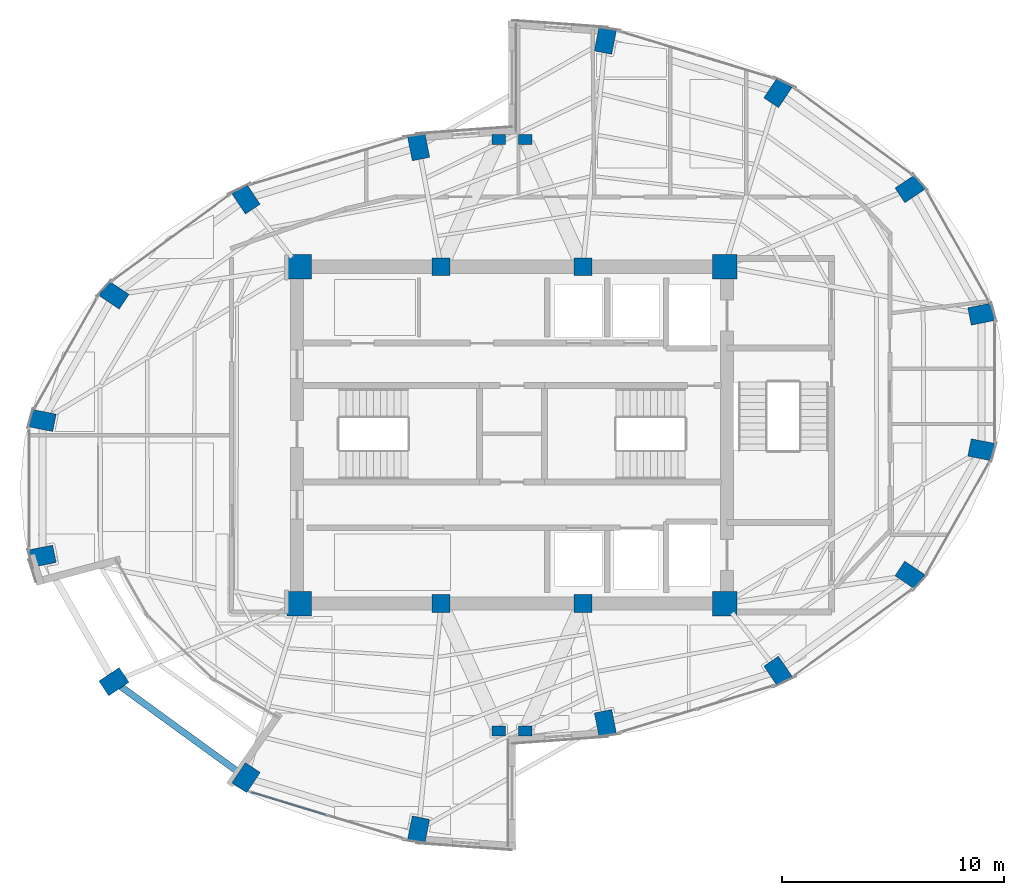
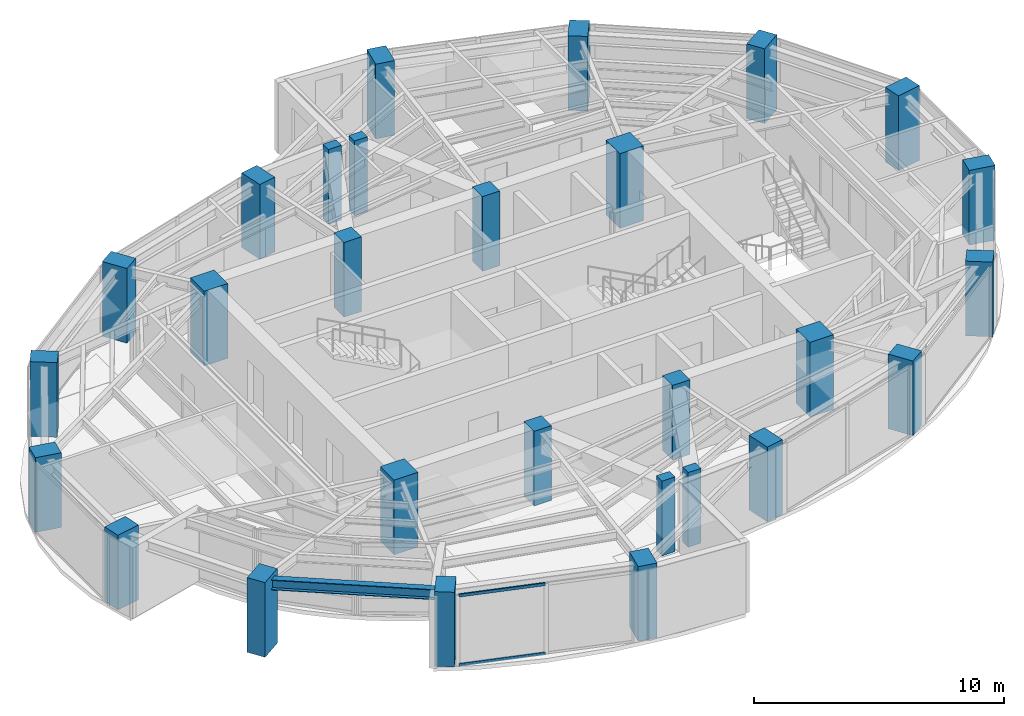
# One storey, part 1 of 22: 28 columns, 2 members, 1 beam, 1 element without a shape of its own.
"""IFC4 building model written with IfcOpenShell, lengths in metres."""

from ifc_helpers import new_model, si_unit, direction, frame, origin, origin_2d, place, context, subcontext, project, spatial, rectangle, hollow_rectangle, i_section, extrude, material, layer, layer_set, material_profile, profile_set, type_object, element, aggregate, save


model = new_model("IFC4")

# Units and contexts
model_context = context("Model", 3, precision=1e-05, world=origin(), true_north=direction((0.0, 1.0)))
body_context = subcontext(model_context, "Body", "Model", "MODEL_VIEW")
ifc_project = project(units=[si_unit("LENGTHUNIT", "METRE"), si_unit("AREAUNIT", "SQUARE_METRE"), si_unit("VOLUMEUNIT", "CUBIC_METRE"), si_unit("PLANEANGLEUNIT", "RADIAN"), si_unit("MASSUNIT", "GRAM", prefix="KILO")], contexts=[model_context])

# Site, building, storey
site_placement = place(None, origin())
site = spatial("IfcSite", under=ifc_project, at=site_placement, CompositionType="ELEMENT")
building_placement = place(site_placement, origin())
building = spatial("IfcBuilding", under=site, at=building_placement, Name="Lazwardi Medical Tower", CompositionType="ELEMENT")
storey_placement = place(building_placement, frame((0.0, 0.0, 224.01611328125)))
storey = spatial("IfcBuildingStorey", under=building, at=storey_placement, Name="L58", CompositionType="ELEMENT", Elevation=224.01611328125)

# Columns
ifc_material_1 = material(Name="Concrete C80/95", Category="concrete")
ifc_material_profile_1 = material_profile(ifc_material_1, rectangle(XDim=1.10009765625, YDim=1.10009765625, at=origin_2d()), Name="RC 1100x1100")
ifc_profile_set_1 = profile_set([ifc_material_profile_1], Name="Concrete C80/95")
column_type_1 = type_object("IfcColumnType", Name="COL-CC-L", PredefinedType="COLUMN", material=ifc_profile_set_1)
for number, where, z_axis, x_axis, name in (
    (1, (26.39990234375, 20.39990234375, 0.0), (0.0, 0.0, 1.0), (1.0, 0.0, 0.0), "Core column CC-01 CC1 L58"),
    (2, (45.60009765625, 20.39990234375, 0.0), (0.0, 0.0, 1.0), (1.0, 0.0, 0.0), "Core column CC-01 CC4 L58"),
    (3, (45.60009765625, 35.60009765625, 0.0), (0.0, 0.0, 1.0), (1.0, 0.0, 0.0), "Core column CC-01 CC5 L58"),
    (4, (26.39990234375, 35.60009765625, 0.0), (0.0, 0.0, 1.0), (1.0, 0.0, 0.0), "Core column CC-01 CC8 L58"),
):
    element("IfcColumn", number, at=place(storey_placement, frame(where, z_axis=z_axis, x_axis=x_axis)), inside=storey, type_object=column_type_1, Name=name, PredefinedType="COLUMN", context=body_context, shape_type="SweptSolid", body=[
        extrude(rectangle(XDim=1.10009765625, YDim=1.10009765625, at=origin_2d()), origin(), (0.0, 0.0, 1.0), 3.64794921875),
    ])
ifc_material_2 = material(Name="Concrete C60/75", Category="concrete")
ifc_material_profile_2 = material_profile(ifc_material_2, rectangle(XDim=0.800048828125, YDim=0.800048828125, at=origin_2d()), Name="RC 800x800")
ifc_profile_set_2 = profile_set([ifc_material_profile_2], Name="Concrete C60/75")
column_type_2 = type_object("IfcColumnType", Name="COL-CC-U", PredefinedType="COLUMN", material=ifc_profile_set_2)
for number, where, z_axis, x_axis, name in (
    (5, (32.800048828125, 20.39990234375, 0.0), (0.0, 0.0, 1.0), (1.0, 0.0, 0.0), "Core column CC-03 CC2 L58"),
    (6, (39.199951171875, 20.39990234375, 0.0), (0.0, 0.0, 1.0), (1.0, 0.0, 0.0), "Core column CC-03 CC3 L58"),
    (7, (39.199951171875, 35.60009765625, 0.0), (0.0, 0.0, 1.0), (1.0, 0.0, 0.0), "Core column CC-03 CC6 L58"),
    (8, (32.800048828125, 35.60009765625, 0.0), (0.0, 0.0, 1.0), (1.0, 0.0, 0.0), "Core column CC-03 CC7 L58"),
):
    element("IfcColumn", number, at=place(storey_placement, frame(where, z_axis=z_axis, x_axis=x_axis)), inside=storey, type_object=column_type_2, Name=name, PredefinedType="COLUMN", context=body_context, shape_type="SweptSolid", body=[
        extrude(rectangle(XDim=0.800048828125, YDim=0.800048828125, at=origin_2d()), origin(), (0.0, 0.0, 1.0), 3.64794921875),
    ])
ifc_material_profile_3 = material_profile(ifc_material_2, rectangle(XDim=1.10009765625, YDim=0.800048828125, at=origin_2d()), Name="CFT-RECT 1100x800")
ifc_profile_set_3 = profile_set([ifc_material_profile_3], Name="Concrete C60/75")
column_type_3 = type_object("IfcColumnType", Name="COL-MC-Z4", PredefinedType="COLUMN", material=ifc_profile_set_3)
for number, where, z_axis, x_axis, name in (
    (9, (40.214111328125, 15.001708984375, 0.0), (0.0, 0.0, 1.0), (0.195090322016, -0.980785280403, 0.0), "Mega column MC-06 M01 L58"),
    (10, (48.000244140625, 17.345947265625, 0.0), (0.0, 0.0, 1.0), (0.55557023302, -0.831469612303, 0.0), "Mega column MC-06 M02 L58"),
    (11, (53.959716796875, 21.677490234375, 0.0), (0.0, 0.0, 1.0), (0.831469612303, -0.55557023302, 0.0), "Mega column MC-06 M03 L58"),
    (12, (57.18505859375, 27.337158203125, 0.0), (0.0, 0.0, 1.0), (0.980785280403, -0.195090322016, 0.0), "Mega column MC-06 M04 L58"),
    (13, (57.18505859375, 33.462890625, 0.0), (0.0, 0.0, 1.0), (0.980785280403, 0.195090322016, 0.0), "Mega column MC-06 M05 L58"),
    (14, (53.959716796875, 39.12255859375, 0.0), (0.0, 0.0, 1.0), (0.831469612303, 0.55557023302, 0.0), "Mega column MC-06 M06 L58"),
    (15, (48.000244140625, 43.4541015625, 0.0), (0.0, 0.0, 1.0), (0.55557023302, 0.831469612303, 0.0), "Mega column MC-06 M07 L58"),
    (16, (40.214111328125, 45.79833984375, 0.0), (0.0, 0.0, 1.0), (0.195090322016, 0.980785280403, 0.0), "Mega column MC-06 M08 L58"),
    (17, (31.785888671875, 40.998291015625, 0.0), (0.0, 0.0, 1.0), (-0.195090322016, 0.980785280403, 0.0), "Mega column MC-06 M09 L58"),
    (18, (23.999755859375, 38.654052734375, 0.0), (0.0, 0.0, 1.0), (-0.55557023302, 0.831469612303, 0.0), "Mega column MC-06 M10 L58"),
    (19, (18.040283203125, 34.322509765625, 0.0), (0.0, 0.0, 1.0), (-0.831469612303, 0.55557023302, 0.0), "Mega column MC-06 M11 L58"),
    (20, (14.81494140625, 28.662841796875, 0.0), (0.0, 0.0, 1.0), (-0.980785280403, 0.195090322016, 0.0), "Mega column MC-06 M12 L58"),
    (21, (14.81494140625, 22.537109375, 0.0), (0.0, 0.0, 1.0), (-0.980785280403, -0.195090322016, 0.0), "Mega column MC-06 M13 L58"),
    (22, (18.040283203125, 16.87744140625, 0.0), (0.0, 0.0, 1.0), (-0.831469612303, -0.55557023302, 0.0), "Mega column MC-06 M14 L58"),
    (23, (23.999755859375, 12.5458984375, 0.0), (0.0, 0.0, 1.0), (-0.55557023302, -0.831469612303, 0.0), "Mega column MC-06 M15 L58"),
    (24, (31.785888671875, 10.20166015625, 0.0), (0.0, 0.0, 1.0), (-0.195090322016, -0.980785280403, 0.0), "Mega column MC-06 M16 L58"),
):
    element("IfcColumn", number, at=place(storey_placement, frame(where, z_axis=z_axis, x_axis=x_axis)), inside=storey, type_object=column_type_3, Name=name, PredefinedType="COLUMN", context=body_context, shape_type="SweptSolid", body=[
        extrude(rectangle(XDim=1.10009765625, YDim=0.800048828125, at=origin_2d()), origin(), (0.0, 0.0, 1.0), 3.64794921875),
    ])
ifc_material_profile_4 = material_profile(ifc_material_2, rectangle(XDim=0.60009765625, YDim=0.449951171875, at=origin_2d()), Name="RC 600x450")
ifc_profile_set_4 = profile_set([ifc_material_profile_4], Name="Concrete C60/75")
column_type_4 = type_object("IfcColumnType", Name="COL-PL-IW", PredefinedType="PILASTER", material=ifc_profile_set_4)
for number, where, z_axis, x_axis, name in (
    (25, (35.39990234375, 41.35009765625, 0.0), (0.0, 0.0, 1.0), (1.0, 0.0, 0.0), "Iwan pilaster column PL-C1 PL1 L58"),
    (26, (36.60009765625, 41.35009765625, 0.0), (0.0, 0.0, 1.0), (1.0, 0.0, 0.0), "Iwan pilaster column PL-C1 PL2 L58"),
    (27, (35.39990234375, 14.64990234375, 0.0), (0.0, 0.0, 1.0), (1.0, 0.0, 0.0), "Iwan pilaster column PL-C1 PL3 L58"),
    (28, (36.60009765625, 14.64990234375, 0.0), (0.0, 0.0, 1.0), (1.0, 0.0, 0.0), "Iwan pilaster column PL-C1 PL4 L58"),
):
    element("IfcColumn", number, at=place(storey_placement, frame(where, z_axis=z_axis, x_axis=x_axis)), inside=storey, type_object=column_type_4, Name=name, PredefinedType="PILASTER", context=body_context, shape_type="SweptSolid", body=[
        extrude(rectangle(XDim=0.60009765625, YDim=0.449951171875, at=origin_2d()), origin(), (0.0, 0.0, 1.0), 3.64794921875),
    ])

# Beam
ifc_material_3 = material(Name="Steel S355", Category="steel")
ifc_material_profile_5 = material_profile(ifc_material_3, i_section(OverallWidth=0.300048828125, OverallDepth=0.5, WebThickness=0.014404296875, FlangeThickness=0.028076171875, at=origin_2d()), Name="HEB 500")
ifc_profile_set_5 = profile_set([ifc_material_profile_5], Name="Steel S355")
beam_type = type_object("IfcBeamType", Name="BM-RB-Z4", PredefinedType="BEAM", material=ifc_profile_set_5)
beam_placement = place(storey_placement, frame((18.355712890625, 16.648193359375, 3.197998046875), z_axis=(0.808889916254, -0.587960120571, 0.0), x_axis=(0.587960120571, 0.808889916254, 0.0)))
element("IfcBeam", 29, at=beam_placement, inside=storey, type_object=beam_type, Name="Ring beam RB-05 B14 L58", PredefinedType="BEAM", context=body_context, shape_type="SweptSolid", body=[
    extrude(i_section(OverallWidth=0.300048828125, OverallDepth=0.5, WebThickness=0.014404296875, FlangeThickness=0.028076171875, at=origin_2d()), origin(), (0.0, 0.0, 1.0), 6.587158203125),
])

# Curtain wall, members
ifc_material_4 = material(Name="Anodised bronze aluminium and solar control glazing", Category="aluminium")
ifc_layer = layer(ifc_material_4, 0.18994140625)
ifc_layer_set = layer_set([ifc_layer], Name="Anodised bronze aluminium and solar control glazing")
curtain_wall_type = type_object("IfcCurtainWallType", Name="CW-SYS-04", PredefinedType="NOTDEFINED", material=ifc_layer_set)
curtain_wall_placement = place(storey_placement, origin())
curtain_wall = element("IfcCurtainWall", 30, at=curtain_wall_placement, inside=storey, type_object=curtain_wall_type, Name="L58 Unitised bronze curtain wall CW-04", PredefinedType="NOTDEFINED")
ifc_material_5 = material(Name="Anodised bronze aluminium", Category="aluminium")
ifc_material_profile_6 = material_profile(ifc_material_5, hollow_rectangle(XDim=0.06494140625, YDim=0.139892578125, WallThickness=0.00341796875, at=origin_2d()), Name="ALU-TRANSOM 140x65x3.5")
ifc_profile_set_6 = profile_set([ifc_material_profile_6], Name="Anodised bronze aluminium")
member_type = type_object("IfcMemberType", Name="CW-TRN-03", PredefinedType="USERDEFINED", material=ifc_profile_set_6)
member_1_placement = place(storey_placement, frame((24.2314453125, 11.886962890625, 0.032470703125), z_axis=(0.956862505902, -0.290541124109, 0.0), x_axis=(0.290541124109, 0.956862505902, 0.0)))
member_1 = element("IfcMember", 31, at=member_1_placement, type_object=member_type, Name="CW-04 transom 1.1", ObjectType="TRANSOM", PredefinedType="USERDEFINED", context=body_context, shape_type="SweptSolid", body=[
    extrude(hollow_rectangle(XDim=0.06494140625, YDim=0.139892578125, WallThickness=0.00341796875, at=origin_2d()), origin(), (0.0, 0.0, 1.0), 3.554443359375),
])
member_2_placement = place(storey_placement, frame((24.2314453125, 11.886962890625, 3.415283203125), z_axis=(0.956862505902, -0.290541124109, 0.0), x_axis=(0.290541124109, 0.956862505902, 0.0)))
member_2 = element("IfcMember", 32, at=member_2_placement, type_object=member_type, Name="CW-04 transom 1.2", ObjectType="TRANSOM", PredefinedType="USERDEFINED", context=body_context, shape_type="SweptSolid", body=[
    extrude(hollow_rectangle(XDim=0.06494140625, YDim=0.139892578125, WallThickness=0.00341796875, at=origin_2d()), origin(), (0.0, 0.0, 1.0), 3.554443359375),
])
aggregate(curtain_wall, [member_1, member_2])

save(model, "model.ifc")
